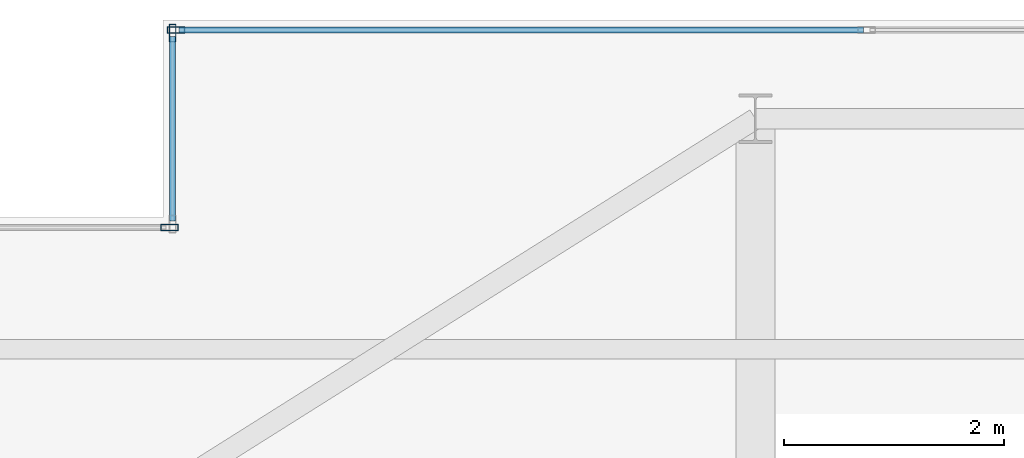
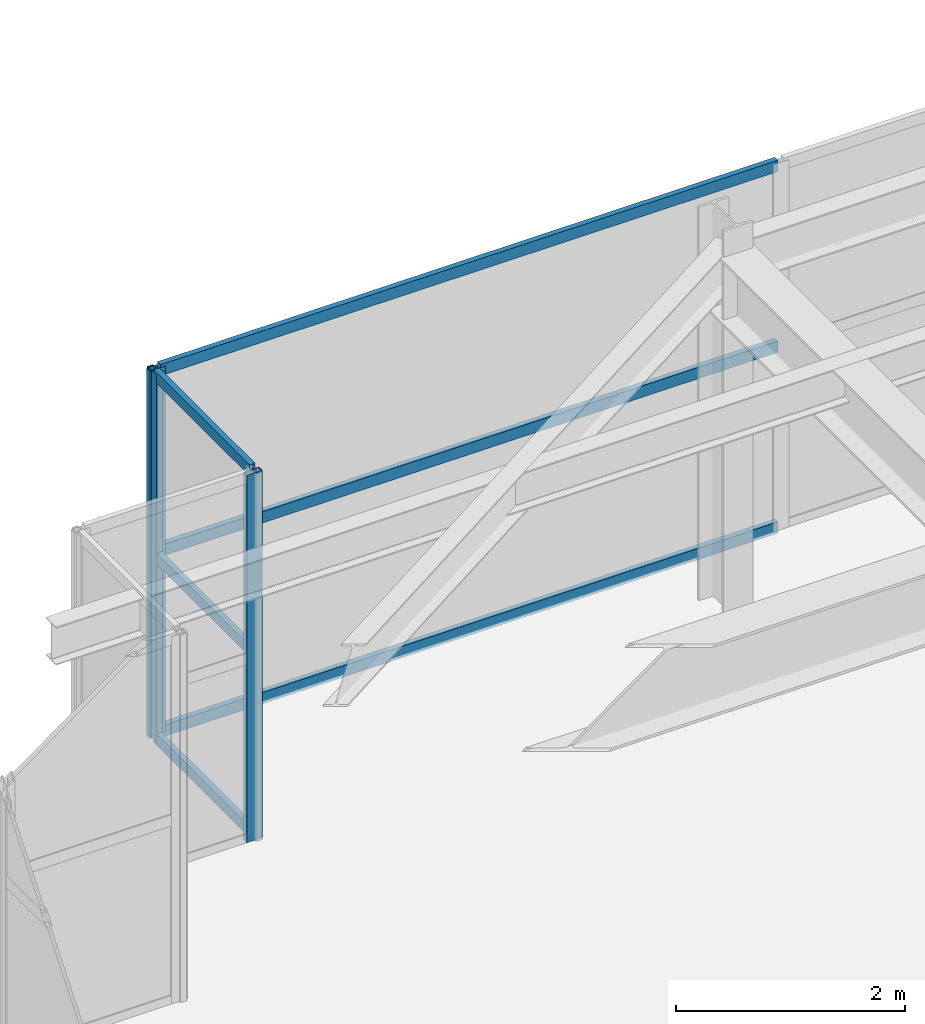
# One storey, part 22 of 32: 9 members, 3 elements without a shape of their own.
"""IFC4 building model written with IfcOpenShell, lengths in metres."""

from ifc_helpers import new_model, si_unit, direction, frame, origin, origin_2d, place, context, subcontext, project, spatial, hollow_rectangle, extrude, source, transform, mapped, material, layer, layer_set, material_profile, profile_set, type_object, element, aggregate, save


model = new_model("IFC4")

# Units and contexts
model_context = context("Model", 3, precision=1e-05, world=origin(), true_north=direction((0.0, 1.0)))
body_context = subcontext(model_context, "Body", "Model", "MODEL_VIEW")
ifc_project = project(units=[si_unit("LENGTHUNIT", "METRE"), si_unit("AREAUNIT", "SQUARE_METRE"), si_unit("VOLUMEUNIT", "CUBIC_METRE"), si_unit("PLANEANGLEUNIT", "RADIAN"), si_unit("MASSUNIT", "GRAM", prefix="KILO")], contexts=[model_context])

# Site, building, storey
site_placement = place(None, origin())
site = spatial("IfcSite", under=ifc_project, at=site_placement, CompositionType="ELEMENT")
building_placement = place(site_placement, origin())
building = spatial("IfcBuilding", under=site, at=building_placement, Name="Khoralis Quay Care Tower", CompositionType="ELEMENT")
storey_placement = place(building_placement, frame((0.0, 0.0, 306.300048828125)))
storey = spatial("IfcBuildingStorey", under=building, at=storey_placement, Name="L80", CompositionType="ELEMENT", Elevation=306.300048828125)

# Curtain wall, members
ifc_material = material(Name="Pale anodised aluminium", Category="aluminium")
ifc_layer = layer(ifc_material, 0.199951171875)
ifc_layer_set = layer_set([ifc_layer], Name="Pale anodised aluminium")
curtain_wall_type = type_object("IfcCurtainWallType", Name="CW-SYS-LANTERN", PredefinedType="NOTDEFINED", material=ifc_layer_set)
curtain_wall_1_placement = place(storey_placement, origin())
curtain_wall_1 = element("IfcCurtainWall", 1, at=curtain_wall_1_placement, inside=storey, type_object=curtain_wall_type, Name="L80 Unitised Curtain Wall CW-LN-L80-11", PredefinedType="NOTDEFINED")
ifc_material_profile_1 = material_profile(ifc_material, hollow_rectangle(XDim=0.054931640625, YDim=0.1201171875, WallThickness=0.00390625, at=origin_2d()), Name="Pale anodised aluminium")
ifc_profile_set_1 = profile_set([ifc_material_profile_1], Name="Pale anodised aluminium")
member_type_1 = type_object("IfcMemberType", Name="CW-TRN-120", PredefinedType="USERDEFINED", material=ifc_profile_set_1)
shared_shape_1 = source(origin(), body_context, "Body", "SweptSolid", [
    extrude(hollow_rectangle(XDim=0.054931640625, YDim=0.1201171875, WallThickness=0.00390625, at=origin_2d()), origin(), (0.0, 0.0, 1.0), 6.23388671875),
])
member_1_placement = place(storey_placement, frame((12.98388671875, 41.909912109375, 0.030029296875), z_axis=(-1.0, 0.0, 0.0), x_axis=(0.0, -1.0, 0.0)))
member_1 = element("IfcMember", 2, at=member_1_placement, type_object=member_type_1, Name="CW5 transom 5.1", ObjectType="TRANSOM", PredefinedType="USERDEFINED", context=body_context, shape_type="MappedRepresentation", body=[
    mapped(shared_shape_1, transform((0.0, 0.0, 0.0), scale=1.0)),
])
member_2_placement = place(storey_placement, frame((12.98388671875, 41.909912109375, 1.9599609375), z_axis=(-1.0, 0.0, 0.0), x_axis=(0.0, -1.0, 0.0)))
member_2 = element("IfcMember", 3, at=member_2_placement, type_object=member_type_1, Name="CW5 transom 5.2", ObjectType="TRANSOM", PredefinedType="USERDEFINED", context=body_context, shape_type="MappedRepresentation", body=[
    mapped(shared_shape_1, transform((0.0, 0.0, 0.0), scale=1.0)),
])
member_3_placement = place(storey_placement, frame((12.98388671875, 41.909912109375, 3.889892578125), z_axis=(-1.0, 0.0, 0.0), x_axis=(0.0, -1.0, 0.0)))
member_3 = element("IfcMember", 4, at=member_3_placement, type_object=member_type_1, Name="CW5 transom 5.3", ObjectType="TRANSOM", PredefinedType="USERDEFINED", context=body_context, shape_type="MappedRepresentation", body=[
    mapped(shared_shape_1, transform((0.0, 0.0, 0.0), scale=1.0)),
])

curtain_wall_2_placement = place(storey_placement, origin())
curtain_wall_2 = element("IfcCurtainWall", 5, at=curtain_wall_2_placement, inside=storey, type_object=curtain_wall_type, Name="L80 Unitised Curtain Wall CW-LN-L80-12", PredefinedType="NOTDEFINED")
shared_shape_2 = source(origin(), body_context, "Body", "SweptSolid", [
    extrude(hollow_rectangle(XDim=0.054931640625, YDim=0.1201171875, WallThickness=0.00390625, at=origin_2d()), origin(), (0.0, 0.0, 1.0), 1.68017578125),
])
member_4_placement = place(storey_placement, frame((6.68994140625, 41.85009765625, 0.030029296875), z_axis=(0.0, -1.0, 0.0), x_axis=(1.0, 0.0, 0.0)))
member_4 = element("IfcMember", 6, at=member_4_placement, type_object=member_type_1, Name="CW5 transom 1.1", ObjectType="TRANSOM", PredefinedType="USERDEFINED", context=body_context, shape_type="MappedRepresentation", body=[
    mapped(shared_shape_2, transform((0.0, 0.0, 0.0), scale=1.0)),
])
member_5_placement = place(storey_placement, frame((6.68994140625, 41.85009765625, 1.9599609375), z_axis=(0.0, -1.0, 0.0), x_axis=(1.0, 0.0, 0.0)))
member_5 = element("IfcMember", 7, at=member_5_placement, type_object=member_type_1, Name="CW5 transom 1.2", ObjectType="TRANSOM", PredefinedType="USERDEFINED", context=body_context, shape_type="MappedRepresentation", body=[
    mapped(shared_shape_2, transform((0.0, 0.0, 0.0), scale=1.0)),
])
member_6_placement = place(storey_placement, frame((6.68994140625, 41.85009765625, 3.889892578125), z_axis=(0.0, -1.0, 0.0), x_axis=(1.0, 0.0, 0.0)))
member_6 = element("IfcMember", 8, at=member_6_placement, type_object=member_type_1, Name="CW5 transom 1.3", ObjectType="TRANSOM", PredefinedType="USERDEFINED", context=body_context, shape_type="MappedRepresentation", body=[
    mapped(shared_shape_2, transform((0.0, 0.0, 0.0), scale=1.0)),
])

# Member
ifc_material_profile_2 = material_profile(ifc_material, hollow_rectangle(XDim=0.06005859375, YDim=0.159912109375, WallThickness=0.00390625, at=origin_2d()), Name="Pale anodised aluminium")
ifc_profile_set_2 = profile_set([ifc_material_profile_2], Name="Pale anodised aluminium")
member_type_2 = type_object("IfcMemberType", Name="CW-MUL-160", PredefinedType="MULLION", material=ifc_profile_set_2)
shared_shape_3 = source(origin(), body_context, "Body", "SweptSolid", [
    extrude(hollow_rectangle(XDim=0.06005859375, YDim=0.159912109375, WallThickness=0.00390625, at=origin_2d()), origin(), (0.0, 0.0, 1.0), 3.919921875),
])
member_7_placement = place(storey_placement, frame((6.719970703125, 41.909912109375, 0.0), z_axis=(0.0, 0.0, 1.0), x_axis=(0.0, -1.0, 0.0)))
member_7 = element("IfcMember", 9, at=member_7_placement, type_object=member_type_2, Name="CW5 mullion 6", PredefinedType="MULLION", context=body_context, shape_type="MappedRepresentation", body=[
    mapped(shared_shape_3, transform((0.0, 0.0, 0.0), scale=1.0)),
])

aggregate(curtain_wall_1, [member_7, member_1, member_2, member_3])

member_8_placement = place(storey_placement, frame((6.68994140625, 41.8798828125, 0.0), z_axis=(0.0, 0.0, 1.0), x_axis=(1.0, 0.0, 0.0)))
member_8 = element("IfcMember", 10, at=member_8_placement, type_object=member_type_2, Name="CW5 mullion 1", PredefinedType="MULLION", context=body_context, shape_type="MappedRepresentation", body=[
    mapped(shared_shape_3, transform((0.0, 0.0, 0.0), scale=1.0)),
])

aggregate(curtain_wall_2, [member_8, member_4, member_5, member_6])

# Curtain wall, member
curtain_wall_3_placement = place(storey_placement, origin())
curtain_wall_3 = element("IfcCurtainWall", 11, at=curtain_wall_3_placement, inside=storey, type_object=curtain_wall_type, Name="L80 Unitised Curtain Wall CW-LN-L80-13", PredefinedType="NOTDEFINED")
member_9_placement = place(storey_placement, frame((6.659912109375, 40.110107421875, 0.0), z_axis=(0.0, 0.0, 1.0), x_axis=(0.0, -1.0, 0.0)))
member_9 = element("IfcMember", 12, at=member_9_placement, type_object=member_type_2, Name="CW5 mullion 1", PredefinedType="MULLION", context=body_context, shape_type="MappedRepresentation", body=[
    mapped(shared_shape_3, transform((0.0, 0.0, 0.0), scale=1.0)),
])
aggregate(curtain_wall_3, [member_9])

save(model, "model.ifc")
